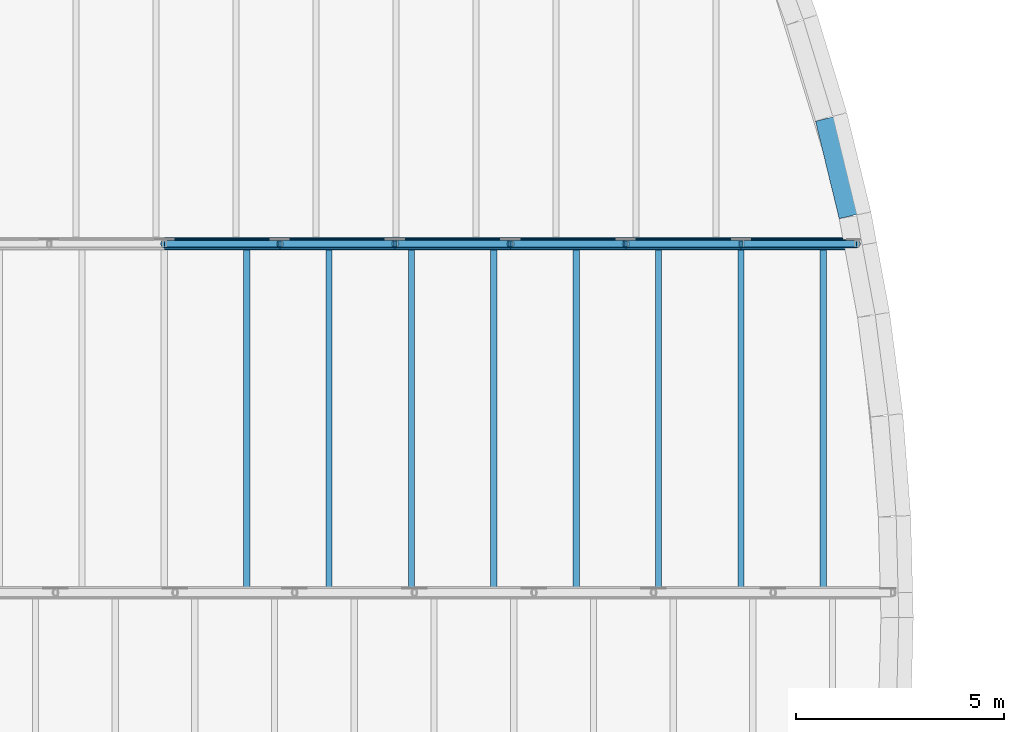
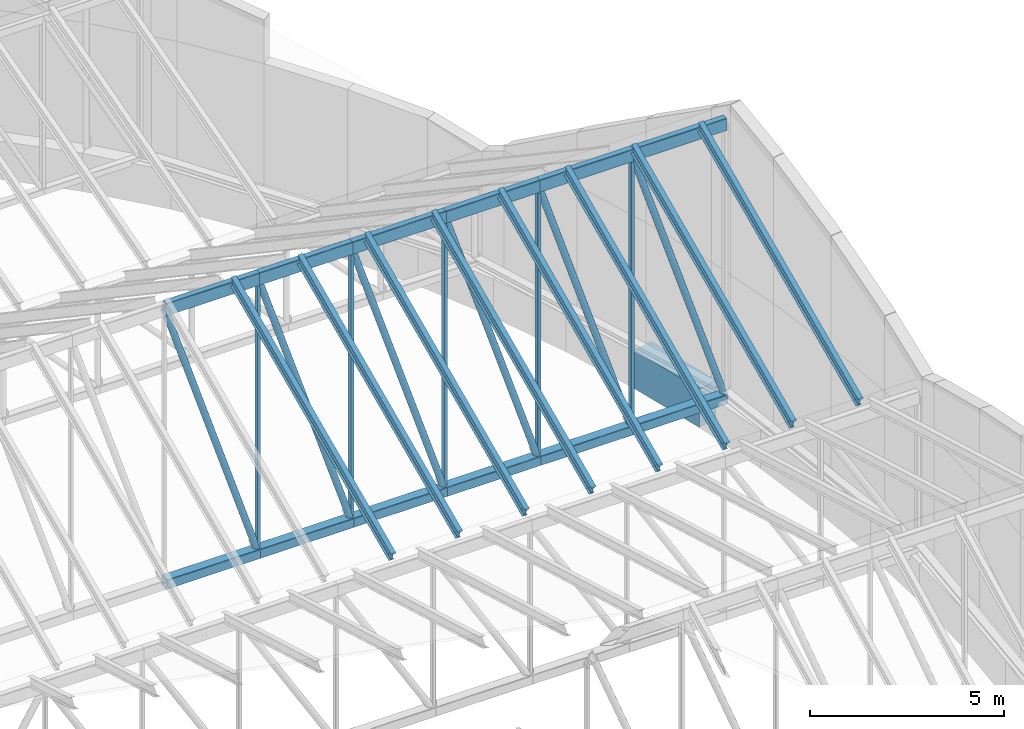
# One storey, part 26 of 68: 19 members, 13 beams.
"""IFC4 building model written with IfcOpenShell, lengths in metres."""

from ifc_helpers import new_model, si_unit, direction, frame, origin, origin_2d, place, context, subcontext, project, spatial, rectangle, hollow_rectangle, hollow_circle, i_section, extrude, material, material_profile, profile_set, type_object, element, save


model = new_model("IFC4")

# Units and contexts
model_context = context("Model", 3, precision=1e-05, world=origin(), true_north=direction((0.0, 1.0)))
body_context = subcontext(model_context, "Body", "Model", "MODEL_VIEW")
ifc_project = project(units=[si_unit("LENGTHUNIT", "METRE"), si_unit("AREAUNIT", "SQUARE_METRE"), si_unit("VOLUMEUNIT", "CUBIC_METRE"), si_unit("PLANEANGLEUNIT", "RADIAN"), si_unit("MASSUNIT", "GRAM", prefix="KILO")], contexts=[model_context])

# Site, building, storey
site_placement = place(None, origin())
site = spatial("IfcSite", under=ifc_project, at=site_placement, CompositionType="ELEMENT")
building_placement = place(site_placement, origin())
building = spatial("IfcBuilding", under=site, at=building_placement, Name="Larchfold Concert Hall", CompositionType="ELEMENT")
storey_placement = place(building_placement, frame((0.0, 0.0, 28.800048828125)))
storey = spatial("IfcBuildingStorey", under=building, at=storey_placement, Name="L06", CompositionType="ELEMENT", Elevation=28.800048828125)

# Beam
ifc_material_1 = material(Name="Concrete C40/50", Category="concrete")
ifc_material_profile_1 = material_profile(ifc_material_1, rectangle(XDim=0.60009765625, YDim=1.199951171875, at=origin_2d()))
ifc_profile_set_1 = profile_set([ifc_material_profile_1], Name="Concrete C40/50")
beam_type_1 = type_object("IfcBeamType", Name="Beam RC 600x1200", PredefinedType="BEAM", material=ifc_profile_set_1)
beam_1_placement = place(storey_placement, frame((66.087158203125, 94.274169921875, -0.60009765625), z_axis=(-0.23594691304, 0.971765946217, 0.0), x_axis=(-0.971765946217, -0.23594691304, 0.0)))
element("IfcBeam", 1, at=beam_1_placement, inside=storey, type_object=beam_type_1, Name="Beam RB05", PredefinedType="BEAM", context=body_context, shape_type="SweptSolid", body=[
    extrude(rectangle(XDim=0.60009765625, YDim=1.199951171875, at=origin_2d()), origin(), (0.0, 0.0, 1.0), 2.417236328125),
])

# Members
ifc_material_2 = material(Name="Steel S355", Category="steel")
ifc_material_profile_2 = material_profile(ifc_material_2, i_section(OverallWidth=0.14990234375, OverallDepth=0.300048828125, WebThickness=0.007080078125, FlangeThickness=0.0107421875, FilletRadius=0.014892578125, at=origin_2d()))
ifc_profile_set_2 = profile_set([ifc_material_profile_2], Name="Steel S355")
member_type_1 = type_object("IfcMemberType", Name="Rafter IPE 300", PredefinedType="RAFTER", material=ifc_profile_set_2)
for number, where, z_axis, x_axis, name in (
    (2, (51.52685546875, 85.280029296875, 5.144775390625), (0.0, 0.911121197743, 0.412138524072), (-1.0, 0.0, 0.0), "Member RF0082"),
    (3, (53.510498046875, 85.280029296875, 5.144775390625), (0.0, 0.911121197743, 0.412138524072), (-1.0, 0.0, 0.0), "Member RF0083"),
    (4, (55.494140625, 85.280029296875, 5.144775390625), (0.0, 0.911121197743, 0.412138524072), (-1.0, 0.0, 0.0), "Member RF0084"),
    (5, (57.477783203125, 85.280029296875, 5.144775390625), (0.0, 0.911121197743, 0.412138524072), (-1.0, 0.0, 0.0), "Member RF0085"),
    (6, (59.46142578125, 85.280029296875, 5.144775390625), (0.0, 0.911121197743, 0.412138524072), (-1.0, 0.0, 0.0), "Member RF0086"),
    (7, (61.4453125, 85.280029296875, 5.144775390625), (0.0, 0.911121197743, 0.412138524072), (-1.0, 0.0, 0.0), "Member RF0087"),
    (8, (63.428955078125, 85.280029296875, 5.144775390625), (0.0, 0.911121197743, 0.412138524072), (-1.0, 0.0, 0.0), "Member RF0088"),
    (9, (65.41259765625, 85.280029296875, 5.144775390625), (0.0, 0.911121197743, 0.412138524072), (-1.0, 0.0, 0.0), "Member RF0089"),
):
    element("IfcMember", number, at=place(storey_placement, frame(where, z_axis=z_axis, x_axis=x_axis)), inside=storey, type_object=member_type_1, Name=name, PredefinedType="RAFTER", context=body_context, shape_type="SweptSolid", body=[
        extrude(i_section(OverallWidth=0.14990234375, OverallDepth=0.300048828125, WebThickness=0.007080078125, FlangeThickness=0.0107421875, FilletRadius=0.014892578125, at=origin_2d()), origin(), (0.0, 0.0, 1.0), 9.043701171875),
    ])

# Beams
ifc_material_3 = material(Name="Steel S355J2H", Category="steel")
ifc_material_profile_3 = material_profile(ifc_material_3, hollow_rectangle(XDim=0.199951171875, YDim=0.39990234375, WallThickness=0.012451171875, InnerFilletRadius=0.018798828125, OuterFilletRadius=0.03125, at=origin_2d()))
ifc_profile_set_3 = profile_set([ifc_material_profile_3], Name="Steel S355J2H")
beam_type_2 = type_object("IfcBeamType", Name="Truss chord RHS 400x200x12.5", PredefinedType="BEAM", material=ifc_profile_set_3)
beam_2_placement = place(storey_placement, frame((49.544921875, 93.60009765625, 8.599853515625), z_axis=(1.0, 0.0, 0.0), x_axis=(0.0, 1.0, 0.0)))
element("IfcBeam", 10, at=beam_2_placement, inside=storey, type_object=beam_type_2, Name="Beam FT5T12", PredefinedType="BEAM", context=body_context, shape_type="SweptSolid", body=[
    extrude(hollow_rectangle(XDim=0.199951171875, YDim=0.39990234375, WallThickness=0.012451171875, InnerFilletRadius=0.018798828125, OuterFilletRadius=0.03125, at=origin_2d()), origin(), (0.0, 0.0, 1.0), 2.778076171875),
])
beam_3_placement = place(storey_placement, frame((52.322998046875, 93.60009765625, 8.599853515625), z_axis=(1.0, 0.0, 0.0), x_axis=(0.0, 1.0, 0.0)))
element("IfcBeam", 11, at=beam_3_placement, inside=storey, type_object=beam_type_2, Name="Beam FT5T13", PredefinedType="BEAM", context=body_context, shape_type="SweptSolid", body=[
    extrude(hollow_rectangle(XDim=0.199951171875, YDim=0.39990234375, WallThickness=0.012451171875, InnerFilletRadius=0.018798828125, OuterFilletRadius=0.03125, at=origin_2d()), origin(), (0.0, 0.0, 1.0), 2.77783203125),
])
beam_4_placement = place(storey_placement, frame((55.100830078125, 93.60009765625, 8.599853515625), z_axis=(1.0, 0.0, 0.0), x_axis=(0.0, 1.0, 0.0)))
element("IfcBeam", 12, at=beam_4_placement, inside=storey, type_object=beam_type_2, Name="Beam FT5T14", PredefinedType="BEAM", context=body_context, shape_type="SweptSolid", body=[
    extrude(hollow_rectangle(XDim=0.199951171875, YDim=0.39990234375, WallThickness=0.012451171875, InnerFilletRadius=0.018798828125, OuterFilletRadius=0.03125, at=origin_2d()), origin(), (0.0, 0.0, 1.0), 2.778076171875),
])
beam_5_placement = place(storey_placement, frame((57.87890625, 93.60009765625, 8.599853515625), z_axis=(1.0, 0.0, 0.0), x_axis=(0.0, 1.0, 0.0)))
element("IfcBeam", 13, at=beam_5_placement, inside=storey, type_object=beam_type_2, Name="Beam FT5T15", PredefinedType="BEAM", context=body_context, shape_type="SweptSolid", body=[
    extrude(hollow_rectangle(XDim=0.199951171875, YDim=0.39990234375, WallThickness=0.012451171875, InnerFilletRadius=0.018798828125, OuterFilletRadius=0.03125, at=origin_2d()), origin(), (0.0, 0.0, 1.0), 2.77783203125),
])
beam_6_placement = place(storey_placement, frame((60.65673828125, 93.60009765625, 8.599853515625), z_axis=(1.0, 0.0, 0.0), x_axis=(0.0, 1.0, 0.0)))
element("IfcBeam", 14, at=beam_6_placement, inside=storey, type_object=beam_type_2, Name="Beam FT5T16", PredefinedType="BEAM", context=body_context, shape_type="SweptSolid", body=[
    extrude(hollow_rectangle(XDim=0.199951171875, YDim=0.39990234375, WallThickness=0.012451171875, InnerFilletRadius=0.018798828125, OuterFilletRadius=0.03125, at=origin_2d()), origin(), (0.0, 0.0, 1.0), 2.778076171875),
])
beam_7_placement = place(storey_placement, frame((63.434814453125, 93.60009765625, 8.599853515625), z_axis=(1.0, 0.0, 0.0), x_axis=(0.0, 1.0, 0.0)))
element("IfcBeam", 15, at=beam_7_placement, inside=storey, type_object=beam_type_2, Name="Beam FT5T17", PredefinedType="BEAM", context=body_context, shape_type="SweptSolid", body=[
    extrude(hollow_rectangle(XDim=0.199951171875, YDim=0.39990234375, WallThickness=0.012451171875, InnerFilletRadius=0.018798828125, OuterFilletRadius=0.03125, at=origin_2d()), origin(), (0.0, 0.0, 1.0), 2.77783203125),
])

# Members
ifc_material_4 = material(Name="Steel S355J2H", Category="steel")
ifc_material_profile_4 = material_profile(ifc_material_4, hollow_rectangle(XDim=0.10009765625, YDim=0.14990234375, WallThickness=0.008056640625, InnerFilletRadius=0.008056640625, OuterFilletRadius=0.01611328125, at=origin_2d()))
ifc_profile_set_4 = profile_set([ifc_material_profile_4], Name="Steel S355J2H")
member_type_2 = type_object("IfcMemberType", Name="Truss post RHS 150x100x8", PredefinedType="POST", material=ifc_profile_set_4)
for number, where, z_axis, x_axis, name in (
    (16, (52.322998046875, 93.60009765625, 8.599853515625), (0.0, 0.0, -1.0), (1.0, 0.0, 0.0), "Member FT5V13"),
    (17, (55.100830078125, 93.60009765625, 8.599853515625), (0.0, 0.0, -1.0), (1.0, 0.0, 0.0), "Member FT5V14"),
    (18, (57.87890625, 93.60009765625, 8.599853515625), (0.0, 0.0, -1.0), (1.0, 0.0, 0.0), "Member FT5V15"),
    (19, (60.65673828125, 93.60009765625, 8.599853515625), (0.0, 0.0, -1.0), (1.0, 0.0, 0.0), "Member FT5V16"),
    (20, (63.434814453125, 93.60009765625, 8.599853515625), (0.0, 0.0, -1.0), (1.0, 0.0, 0.0), "Member FT5V17"),
):
    element("IfcMember", number, at=place(storey_placement, frame(where, z_axis=z_axis, x_axis=x_axis)), inside=storey, type_object=member_type_2, Name=name, PredefinedType="POST", context=body_context, shape_type="SweptSolid", body=[
        extrude(hollow_rectangle(XDim=0.10009765625, YDim=0.14990234375, WallThickness=0.008056640625, InnerFilletRadius=0.008056640625, OuterFilletRadius=0.01611328125, at=origin_2d()), origin(), (0.0, 0.0, 1.0), 8.599853515625),
    ])

# Beams
ifc_material_5 = material(Name="Steel S355J2H", Category="steel")
ifc_material_profile_5 = material_profile(ifc_material_5, hollow_rectangle(XDim=0.300048828125, YDim=0.300048828125, WallThickness=0.012451171875, InnerFilletRadius=0.018798828125, OuterFilletRadius=0.03125, at=origin_2d()))
ifc_profile_set_5 = profile_set([ifc_material_profile_5], Name="Steel S355J2H")
beam_type_3 = type_object("IfcBeamType", Name="Truss tie SHS 300x300x12.5", PredefinedType="BEAM", material=ifc_profile_set_5)
beam_8_placement = place(storey_placement, frame((49.544921875, 93.60009765625, 0.0), z_axis=(1.0, 0.0, 0.0), x_axis=(0.0, 1.0, 0.0)))
element("IfcBeam", 21, at=beam_8_placement, inside=storey, type_object=beam_type_3, Name="Beam FT5B12", PredefinedType="BEAM", context=body_context, shape_type="SweptSolid", body=[
    extrude(hollow_rectangle(XDim=0.300048828125, YDim=0.300048828125, WallThickness=0.012451171875, InnerFilletRadius=0.018798828125, OuterFilletRadius=0.03125, at=origin_2d()), origin(), (0.0, 0.0, 1.0), 2.778076171875),
])
beam_9_placement = place(storey_placement, frame((52.322998046875, 93.60009765625, 0.0), z_axis=(1.0, 0.0, 0.0), x_axis=(0.0, 1.0, 0.0)))
element("IfcBeam", 22, at=beam_9_placement, inside=storey, type_object=beam_type_3, Name="Beam FT5B13", PredefinedType="BEAM", context=body_context, shape_type="SweptSolid", body=[
    extrude(hollow_rectangle(XDim=0.300048828125, YDim=0.300048828125, WallThickness=0.012451171875, InnerFilletRadius=0.018798828125, OuterFilletRadius=0.03125, at=origin_2d()), origin(), (0.0, 0.0, 1.0), 2.77783203125),
])
beam_10_placement = place(storey_placement, frame((55.100830078125, 93.60009765625, 0.0), z_axis=(1.0, 0.0, 0.0), x_axis=(0.0, 1.0, 0.0)))
element("IfcBeam", 23, at=beam_10_placement, inside=storey, type_object=beam_type_3, Name="Beam FT5B14", PredefinedType="BEAM", context=body_context, shape_type="SweptSolid", body=[
    extrude(hollow_rectangle(XDim=0.300048828125, YDim=0.300048828125, WallThickness=0.012451171875, InnerFilletRadius=0.018798828125, OuterFilletRadius=0.03125, at=origin_2d()), origin(), (0.0, 0.0, 1.0), 2.778076171875),
])
beam_11_placement = place(storey_placement, frame((57.87890625, 93.60009765625, 0.0), z_axis=(1.0, 0.0, 0.0), x_axis=(0.0, 1.0, 0.0)))
element("IfcBeam", 24, at=beam_11_placement, inside=storey, type_object=beam_type_3, Name="Beam FT5B15", PredefinedType="BEAM", context=body_context, shape_type="SweptSolid", body=[
    extrude(hollow_rectangle(XDim=0.300048828125, YDim=0.300048828125, WallThickness=0.012451171875, InnerFilletRadius=0.018798828125, OuterFilletRadius=0.03125, at=origin_2d()), origin(), (0.0, 0.0, 1.0), 2.77783203125),
])
beam_12_placement = place(storey_placement, frame((60.65673828125, 93.60009765625, 0.0), z_axis=(1.0, 0.0, 0.0), x_axis=(0.0, 1.0, 0.0)))
element("IfcBeam", 25, at=beam_12_placement, inside=storey, type_object=beam_type_3, Name="Beam FT5B16", PredefinedType="BEAM", context=body_context, shape_type="SweptSolid", body=[
    extrude(hollow_rectangle(XDim=0.300048828125, YDim=0.300048828125, WallThickness=0.012451171875, InnerFilletRadius=0.018798828125, OuterFilletRadius=0.03125, at=origin_2d()), origin(), (0.0, 0.0, 1.0), 2.778076171875),
])
beam_13_placement = place(storey_placement, frame((63.434814453125, 93.60009765625, 0.0), z_axis=(1.0, 0.0, 0.0), x_axis=(0.0, 1.0, 0.0)))
element("IfcBeam", 26, at=beam_13_placement, inside=storey, type_object=beam_type_3, Name="Beam FT5B17", PredefinedType="BEAM", context=body_context, shape_type="SweptSolid", body=[
    extrude(hollow_rectangle(XDim=0.300048828125, YDim=0.300048828125, WallThickness=0.012451171875, InnerFilletRadius=0.018798828125, OuterFilletRadius=0.03125, at=origin_2d()), origin(), (0.0, 0.0, 1.0), 2.77783203125),
])

# Members
ifc_material_6 = material(Name="Steel S355J2H", Category="steel")
ifc_material_profile_6 = material_profile(ifc_material_6, hollow_circle(Radius=0.096923828125, WallThickness=0.008056640625, at=origin_2d()))
ifc_profile_set_6 = profile_set([ifc_material_profile_6], Name="Steel S355J2H")
member_type_3 = type_object("IfcMemberType", Name="Truss web CHS 193.7x8", PredefinedType="BRACE", material=ifc_profile_set_6)
for number, where, z_axis, x_axis, name in (
    (27, (49.544921875, 93.60009765625, 8.599853515625), (0.307396613597, 0.0, -0.951581484661), (0.0, 1.0, 0.0), "Member FT5D12"),
    (28, (52.322998046875, 93.60009765625, 8.599853515625), (0.307372151575, 0.0, -0.951589386467), (0.0, 1.0, 0.0), "Member FT5D13"),
    (29, (55.100830078125, 93.60009765625, 8.599853515625), (0.307396613597, 0.0, -0.951581484661), (0.0, 1.0, 0.0), "Member FT5D14"),
    (30, (57.87890625, 93.60009765625, 8.599853515625), (0.307372151575, 0.0, -0.951589386467), (0.0, 1.0, 0.0), "Member FT5D15"),
    (31, (60.65673828125, 93.60009765625, 8.599853515625), (0.307396613597, 0.0, -0.951581484661), (0.0, 1.0, 0.0), "Member FT5D16"),
    (32, (63.434814453125, 93.60009765625, 8.599853515625), (0.307372151575, 0.0, -0.951589386467), (0.0, 1.0, 0.0), "Member FT5D17"),
):
    element("IfcMember", number, at=place(storey_placement, frame(where, z_axis=z_axis, x_axis=x_axis)), inside=storey, type_object=member_type_3, Name=name, PredefinedType="BRACE", context=body_context, shape_type="SweptSolid", body=[
        extrude(hollow_circle(Radius=0.096923828125, WallThickness=0.008056640625, at=origin_2d()), origin(), (0.0, 0.0, 1.0), 9.037353515625),
    ])

save(model, "model.ifc")
